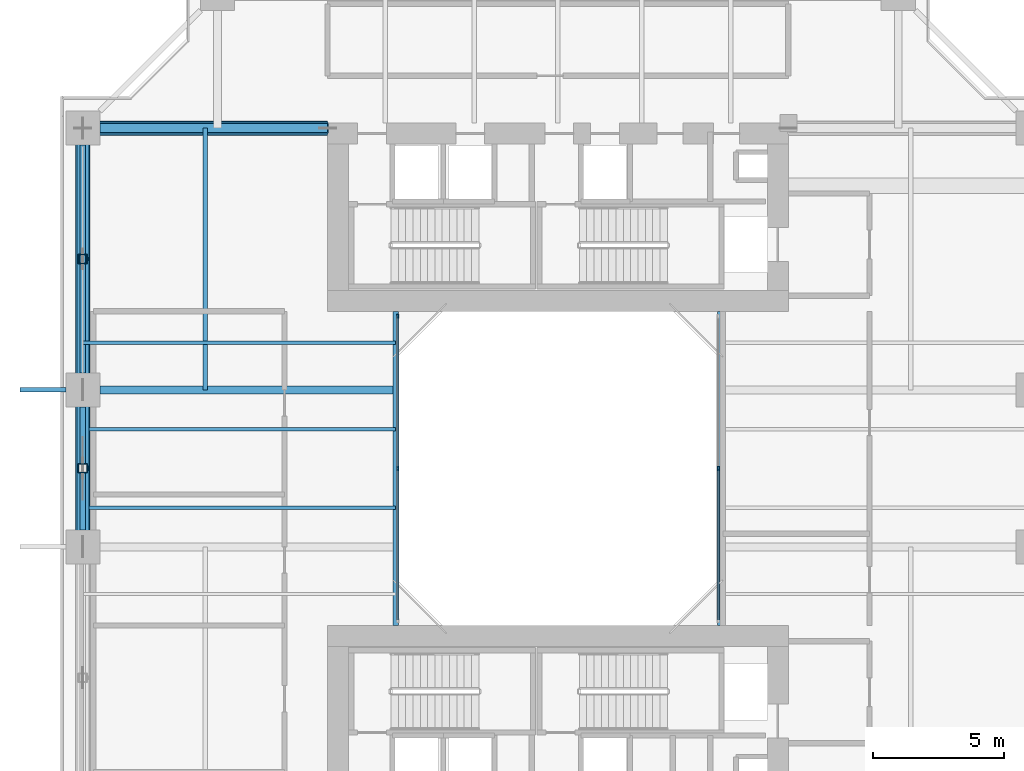
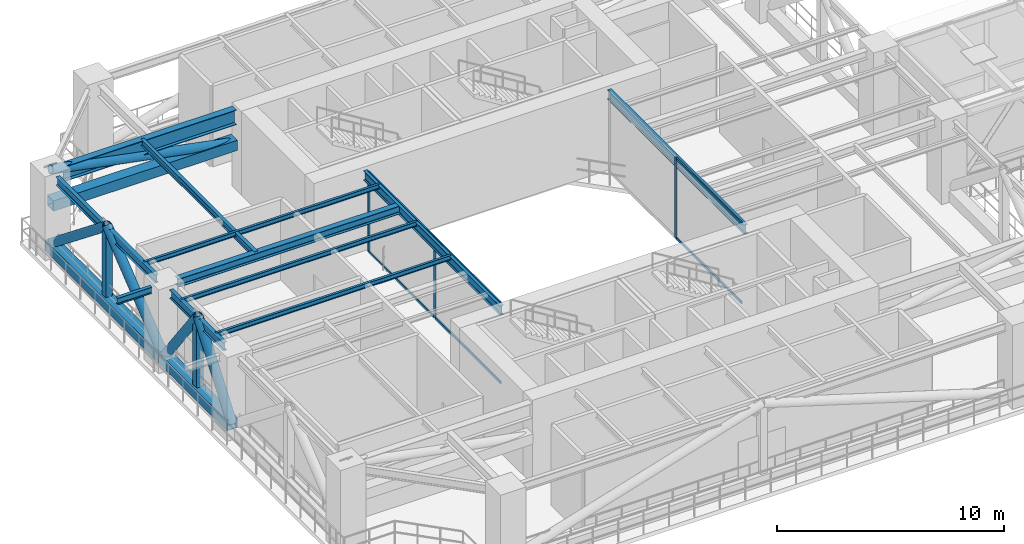
# One storey, part 4 of 26: 19 members, 11 beams, 2 elements without a shape of their own.
"""IFC4 building model written with IfcOpenShell, lengths in metres."""

from ifc_helpers import new_model, si_unit, direction, frame, origin, origin_2d, place, context, subcontext, project, spatial, rectangle, hollow_rectangle, hollow_circle, i_section, extrude, source, transform, mapped, material, layer, layer_set, material_profile, profile_set, type_object, element, aggregate, save


model = new_model("IFC4")

# Units and contexts
model_context = context("Model", 3, precision=1e-05, world=origin(), true_north=direction((0.0, 1.0)))
body_context = subcontext(model_context, "Body", "Model", "MODEL_VIEW")
ifc_project = project(units=[si_unit("LENGTHUNIT", "METRE"), si_unit("AREAUNIT", "SQUARE_METRE"), si_unit("VOLUMEUNIT", "CUBIC_METRE"), si_unit("PLANEANGLEUNIT", "RADIAN"), si_unit("MASSUNIT", "GRAM", prefix="KILO"), si_unit("THERMODYNAMICTEMPERATUREUNIT", "KELVIN"), si_unit("POWERUNIT", "WATT")], contexts=[model_context])

# Site, building, storey
site_placement = place(None, origin())
site = spatial("IfcSite", under=ifc_project, at=site_placement, CompositionType="ELEMENT")
building_placement = place(site_placement, origin())
building = spatial("IfcBuilding", under=site, at=building_placement, Name="Qiaomeng Ring Towers", CompositionType="ELEMENT")
storey_placement = place(building_placement, frame((0.0, 0.0, 45.75)))
storey = spatial("IfcBuildingStorey", under=building, at=storey_placement, Name="L12", CompositionType="ELEMENT", Elevation=45.75)

# Beams
ifc_material_1 = material(Name="Steel Q355B", Category="steel")
ifc_material_profile_1 = material_profile(ifc_material_1, i_section(OverallWidth=0.199951171875, OverallDepth=0.5, WebThickness=0.010009765625, FlangeThickness=0.01611328125, FilletRadius=0.02001953125, at=origin_2d()), Name="HN 500x200x10x16")
ifc_profile_set_1 = profile_set([ifc_material_profile_1], Name="Steel Q355B")
beam_type_1 = type_object("IfcBeamType", Name="STR-BM-HN500", PredefinedType="BEAM", material=ifc_profile_set_1)
shared_shape_1 = source(origin(), body_context, "Body", "SweptSolid", [
    extrude(i_section(OverallWidth=0.199951171875, OverallDepth=0.5, WebThickness=0.010009765625, FlangeThickness=0.01611328125, FilletRadius=0.02001953125, at=origin_2d()), origin(), (0.0, 0.0, 1.0), 12.0),
])
for number, where, z_axis, x_axis, name in (
    (1, (12.800048828125, 17.0, 4.070068359375), (0.0, 1.0, 0.0), (-1.0, 0.0, 0.0), "L12 beam STR-BM-L12-WELL-W"),
    (2, (25.199951171875, 17.0, 4.070068359375), (0.0, 1.0, 0.0), (-1.0, 0.0, 0.0), "L12 beam STR-BM-L12-WELL-E"),
):
    element("IfcBeam", number, at=place(storey_placement, frame(where, z_axis=z_axis, x_axis=x_axis)), inside=storey, type_object=beam_type_1, Name=name, PredefinedType="BEAM", context=body_context, shape_type="MappedRepresentation", body=[
        mapped(shared_shape_1, transform((0.0, 0.0, 0.0), x_axis=(1.0, 0.0, 0.0), y_axis=(0.0, 1.0, 0.0), z_axis=(0.0, 0.0, 1.0), scale=1.0)),
    ])
ifc_material_profile_2 = material_profile(ifc_material_1, i_section(OverallWidth=0.199951171875, OverallDepth=0.449951171875, WebThickness=0.009033203125, FlangeThickness=0.013916015625, FilletRadius=0.01806640625, at=origin_2d()), Name="HN 450x200x9x14")
ifc_profile_set_2 = profile_set([ifc_material_profile_2], Name="Steel Q355B")
beam_type_2 = type_object("IfcBeamType", Name="STR-BM-HN450", PredefinedType="SPANDREL", material=ifc_profile_set_2)
shared_shape_2 = source(origin(), body_context, "Body", "SweptSolid", [
    extrude(i_section(OverallWidth=0.199951171875, OverallDepth=0.449951171875, WebThickness=0.009033203125, FlangeThickness=0.013916015625, FilletRadius=0.01806640625, at=origin_2d()), origin(), (0.0, 0.0, 1.0), 8.7021484375),
])
beam_1_placement = place(storey_placement, frame((0.85009765625, 35.35107421875, 4.094970703125), z_axis=(0.0, -1.0, 0.0), x_axis=(1.0, 0.0, 0.0)))
element("IfcBeam", 3, at=beam_1_placement, inside=storey, type_object=beam_type_2, Name="L12 beam STR-SP-L12-T1-W4-W3", PredefinedType="SPANDREL", context=body_context, shape_type="MappedRepresentation", body=[
    mapped(shared_shape_2, transform((0.0, 0.0, 0.0), x_axis=(1.0, 0.0, 0.0), y_axis=(0.0, 1.0, 0.0), z_axis=(0.0, 0.0, 1.0), scale=1.0)),
])
shared_shape_3 = source(origin(), body_context, "Body", "SweptSolid", [
    extrude(i_section(OverallWidth=0.199951171875, OverallDepth=0.449951171875, WebThickness=0.009033203125, FlangeThickness=0.013916015625, FilletRadius=0.01806640625, at=origin_2d()), origin(), (0.0, 0.0, 1.0), 4.7021484375),
])
beam_2_placement = place(storey_placement, frame((0.85009765625, 25.35107421875, 4.094970703125), z_axis=(0.0, -1.0, 0.0), x_axis=(1.0, 0.0, 0.0)))
element("IfcBeam", 4, at=beam_2_placement, inside=storey, type_object=beam_type_2, Name="L12 beam STR-SP-L12-T1-W3-W2", PredefinedType="SPANDREL", context=body_context, shape_type="MappedRepresentation", body=[
    mapped(shared_shape_3, transform((0.0, 0.0, 0.0), x_axis=(1.0, 0.0, 0.0), y_axis=(0.0, 1.0, 0.0), z_axis=(0.0, 0.0, 1.0), scale=1.0)),
])
ifc_material_2 = material(Name="Steel Q390GJC", Category="steel")
ifc_material_profile_3 = material_profile(ifc_material_2, i_section(OverallWidth=0.35009765625, OverallDepth=0.800048828125, WebThickness=0.01611328125, FlangeThickness=0.028076171875, at=origin_2d()), Name="WH 800x350x16x28")
ifc_profile_set_3 = profile_set([ifc_material_profile_3], Name="Steel Q390GJC")
beam_type_3 = type_object("IfcBeamType", Name="STR-BM-WH800", PredefinedType="BEAM", material=ifc_profile_set_3)
shared_shape_4 = source(origin(), body_context, "Body", "SweptSolid", [
    extrude(i_section(OverallWidth=0.35009765625, OverallDepth=0.800048828125, WebThickness=0.01611328125, FlangeThickness=0.028076171875, at=origin_2d()), origin(), (0.0, 0.0, 1.0), 8.700927734375),
])
beam_3_placement = place(storey_placement, frame((1.4990234375, 36.0, 3.919921875), z_axis=(1.0, 0.0, 0.0), x_axis=(0.0, 1.0, 0.0)))
element("IfcBeam", 5, at=beam_3_placement, inside=storey, type_object=beam_type_3, Name="L12 beam STR-BM-L12-T1-RAD-W4", PredefinedType="BEAM", context=body_context, shape_type="MappedRepresentation", body=[
    mapped(shared_shape_4, transform((0.0, 0.0, 0.0), x_axis=(1.0, 0.0, 0.0), y_axis=(0.0, 1.0, 0.0), z_axis=(0.0, 0.0, 1.0), scale=1.0)),
])
ifc_material_profile_4 = material_profile(ifc_material_1, i_section(OverallWidth=0.300048828125, OverallDepth=0.43994140625, WebThickness=0.010986328125, FlangeThickness=0.01806640625, FilletRadius=0.02392578125, at=origin_2d()), Name="HM 440x300x11x18")
ifc_profile_set_4 = profile_set([ifc_material_profile_4], Name="Steel Q355B")
beam_type_4 = type_object("IfcBeamType", Name="STR-BM-HM440", PredefinedType="BEAM", material=ifc_profile_set_4)
shared_shape_5 = source(origin(), body_context, "Body", "SweptSolid", [
    extrude(i_section(OverallWidth=0.300048828125, OverallDepth=0.43994140625, WebThickness=0.010986328125, FlangeThickness=0.01806640625, FilletRadius=0.02392578125, at=origin_2d()), origin(), (0.0, 0.0, 1.0), 11.301025390625),
])
beam_4_placement = place(storey_placement, frame((1.4990234375, 26.0, 4.10009765625), z_axis=(1.0, 0.0, 0.0), x_axis=(0.0, 1.0, 0.0)))
element("IfcBeam", 6, at=beam_4_placement, inside=storey, type_object=beam_type_4, Name="L12 beam STR-BM-L12-T1-RAD-W3", PredefinedType="BEAM", context=body_context, shape_type="MappedRepresentation", body=[
    mapped(shared_shape_5, transform((0.0, 0.0, 0.0), x_axis=(1.0, 0.0, 0.0), y_axis=(0.0, 1.0, 0.0), z_axis=(0.0, 0.0, 1.0), scale=1.0)),
])
ifc_material_profile_5 = material_profile(ifc_material_1, i_section(OverallWidth=0.175048828125, OverallDepth=0.35009765625, WebThickness=0.007080078125, FlangeThickness=0.010986328125, FilletRadius=0.013916015625, at=origin_2d()), Name="HN 350x175x7x11")
ifc_profile_set_5 = profile_set([ifc_material_profile_5], Name="Steel Q355B")
beam_type_5 = type_object("IfcBeamType", Name="STR-BM-HN350", PredefinedType="JOIST", material=ifc_profile_set_5)
shared_shape_6 = source(origin(), body_context, "Body", "SweptSolid", [
    extrude(i_section(OverallWidth=0.175048828125, OverallDepth=0.35009765625, WebThickness=0.007080078125, FlangeThickness=0.010986328125, FilletRadius=0.013916015625, at=origin_2d()), origin(), (0.0, 0.0, 1.0), 1.7509765625),
])
beam_5_placement = place(storey_placement, frame((-1.550048828125, 26.0, 4.14501953125), z_axis=(1.0, 0.0, 0.0), x_axis=(0.0, 1.0, 0.0)))
element("IfcBeam", 7, at=beam_5_placement, inside=storey, type_object=beam_type_5, Name="L12 beam STR-BALBM-L12-W3", PredefinedType="JOIST", context=body_context, shape_type="MappedRepresentation", body=[
    mapped(shared_shape_6, transform((0.0, 0.0, 0.0), x_axis=(1.0, 0.0, 0.0), y_axis=(0.0, 1.0, 0.0), z_axis=(0.0, 0.0, 1.0), scale=1.0)),
])
ifc_material_profile_6 = material_profile(ifc_material_1, i_section(OverallWidth=0.125, OverallDepth=0.25, WebThickness=0.006103515625, FlangeThickness=0.009033203125, FilletRadius=0.011962890625, at=origin_2d()), Name="HN 250x125x6x9")
ifc_profile_set_6 = profile_set([ifc_material_profile_6], Name="Steel Q355B")
beam_type_6 = type_object("IfcBeamType", Name="STR-BM-HN250", PredefinedType="JOIST", material=ifc_profile_set_6)
shared_shape_7 = source(origin(), body_context, "Body", "SweptSolid", [
    extrude(i_section(OverallWidth=0.125, OverallDepth=0.25, WebThickness=0.006103515625, FlangeThickness=0.009033203125, FilletRadius=0.011962890625, at=origin_2d()), origin(), (0.0, 0.0, 1.0), 11.949951171875),
])
for number, where, z_axis, x_axis, name in (
    (8, (0.85009765625, 21.5, 4.195068359375), (1.0, 0.0, 0.0), (0.0, 1.0, 0.0), "L12 beam STR-JST-L12-T1W-2"),
    (9, (0.85009765625, 24.5, 4.195068359375), (1.0, 0.0, 0.0), (0.0, 1.0, 0.0), "L12 beam STR-JST-L12-T1W-3"),
    (10, (0.85009765625, 27.800048828125, 4.195068359375), (1.0, 0.0, 0.0), (0.0, 1.0, 0.0), "L12 beam STR-JST-L12-T1W-4"),
):
    element("IfcBeam", number, at=place(storey_placement, frame(where, z_axis=z_axis, x_axis=x_axis)), inside=storey, type_object=beam_type_6, Name=name, PredefinedType="JOIST", context=body_context, shape_type="MappedRepresentation", body=[
        mapped(shared_shape_7, transform((0.0, 0.0, 0.0), x_axis=(1.0, 0.0, 0.0), y_axis=(0.0, 1.0, 0.0), z_axis=(0.0, 0.0, 1.0), scale=1.0)),
    ])
shared_shape_8 = source(origin(), body_context, "Body", "SweptSolid", [
    extrude(i_section(OverallWidth=0.175048828125, OverallDepth=0.35009765625, WebThickness=0.007080078125, FlangeThickness=0.010986328125, FilletRadius=0.013916015625, at=origin_2d()), origin(), (0.0, 0.0, 1.0), 10.0),
])
beam_6_placement = place(storey_placement, frame((5.52490234375, 26.0, 4.14501953125), z_axis=(0.0, 1.0, 0.0), x_axis=(-1.0, 0.0, 0.0)))
element("IfcBeam", 11, at=beam_6_placement, inside=storey, type_object=beam_type_5, Name="L12 beam STR-JST-L12-T1C-WN", PredefinedType="JOIST", context=body_context, shape_type="MappedRepresentation", body=[
    mapped(shared_shape_8, transform((0.0, 0.0, 0.0), x_axis=(1.0, 0.0, 0.0), y_axis=(0.0, 1.0, 0.0), z_axis=(0.0, 0.0, 1.0), scale=1.0)),
])

# Members
ifc_material_profile_7 = material_profile(ifc_material_2, hollow_rectangle(XDim=0.35009765625, YDim=0.35009765625, WallThickness=0.02001953125, at=origin_2d()), Name="SHS 350x350x20")
ifc_profile_set_7 = profile_set([ifc_material_profile_7], Name="Steel Q390GJC")
member_type_1 = type_object("IfcMemberType", Name="STR-MB-POST-350", PredefinedType="POST", material=ifc_profile_set_7)
shared_shape_9 = source(origin(), body_context, "Body", "SweptSolid", [
    extrude(hollow_rectangle(XDim=0.35009765625, YDim=0.35009765625, WallThickness=0.02001953125, at=origin_2d()), origin(), (0.0, 0.0, 1.0), 4.0),
])
for number, where, z_axis, x_axis, name in (
    (12, (0.85009765625, 31.0, 0.320068359375), (0.0, 0.0, 1.0), (1.0, 0.0, 0.0), "L12 Belt Truss Post W4-W3"),
    (13, (0.85009765625, 23.0, 0.320068359375), (0.0, 0.0, 1.0), (1.0, 0.0, 0.0), "L12 Belt Truss Post W3-W2"),
):
    element("IfcMember", number, at=place(storey_placement, frame(where, z_axis=z_axis, x_axis=x_axis)), inside=storey, type_object=member_type_1, Name=name, PredefinedType="POST", context=body_context, shape_type="MappedRepresentation", body=[
        mapped(shared_shape_9, transform((0.0, 0.0, 0.0), x_axis=(1.0, 0.0, 0.0), y_axis=(0.0, 1.0, 0.0), z_axis=(0.0, 0.0, 1.0), scale=1.0)),
    ])
ifc_material_profile_8 = material_profile(ifc_material_2, hollow_rectangle(XDim=0.550048828125, YDim=0.550048828125, WallThickness=0.031982421875, at=origin_2d()), Name="SHS 550x550x32")
ifc_profile_set_8 = profile_set([ifc_material_profile_8], Name="Steel Q390GJC")
member_type_2 = type_object("IfcMemberType", Name="STR-MB-CHORD-550", PredefinedType="CHORD", material=ifc_profile_set_8)
shared_shape_10 = source(origin(), body_context, "Body", "SweptSolid", [
    extrude(hollow_rectangle(XDim=0.550048828125, YDim=0.550048828125, WallThickness=0.031982421875, at=origin_2d()), origin(), (0.0, 0.0, 1.0), 10.0),
])
member_1_placement = place(storey_placement, frame((0.85009765625, 36.0, 0.320068359375), z_axis=(0.0, -1.0, 0.0), x_axis=(1.0, 0.0, 0.0)))
element("IfcMember", 14, at=member_1_placement, inside=storey, type_object=member_type_2, Name="L12 Belt Truss Bottom Chord W4-W3", PredefinedType="CHORD", context=body_context, shape_type="MappedRepresentation", body=[
    mapped(shared_shape_10, transform((0.0, 0.0, 0.0), x_axis=(1.0, 0.0, 0.0), y_axis=(0.0, 1.0, 0.0), z_axis=(0.0, 0.0, 1.0), scale=1.0)),
])
ifc_material_profile_9 = material_profile(ifc_material_2, hollow_circle(Radius=0.228515625, WallThickness=0.028076171875, at=origin_2d()), Name="CHS 457x28")
ifc_profile_set_9 = profile_set([ifc_material_profile_9], Name="Steel Q390GJC")
member_type_3 = type_object("IfcMemberType", Name="STR-MB-BR-457", PredefinedType="BRACE", material=ifc_profile_set_9)
shared_shape_11 = source(origin(), body_context, "Body", "SweptSolid", [
    extrude(hollow_circle(Radius=0.228515625, WallThickness=0.028076171875, at=origin_2d()), origin(), (0.0, 0.0, 1.0), 6.390625),
])
for number, where, z_axis, x_axis, name in (
    (15, (0.85009765625, 36.0, 0.320068359375), (0.0, -0.782394587595, 0.622783035497), (1.0, 0.0, 0.0), "L12 Belt Truss Diagonal W4-M"),
    (16, (0.85009765625, 26.0, 0.320068359375), (0.0, 0.782394587595, 0.622783035497), (-1.0, 0.0, 0.0), "L12 Belt Truss Diagonal W3-M"),
):
    element("IfcMember", number, at=place(storey_placement, frame(where, z_axis=z_axis, x_axis=x_axis)), inside=storey, type_object=member_type_3, Name=name, PredefinedType="BRACE", context=body_context, shape_type="MappedRepresentation", body=[
        mapped(shared_shape_11, transform((0.0, 0.0, 0.0), x_axis=(1.0, 0.0, 0.0), y_axis=(0.0, 1.0, 0.0), z_axis=(0.0, 0.0, 1.0), scale=1.0)),
    ])
shared_shape_12 = source(origin(), body_context, "Body", "SweptSolid", [
    extrude(hollow_rectangle(XDim=0.550048828125, YDim=0.550048828125, WallThickness=0.031982421875, at=origin_2d()), origin(), (0.0, 0.0, 1.0), 6.0),
])
member_2_placement = place(storey_placement, frame((0.85009765625, 26.0, 0.320068359375), z_axis=(0.0, -1.0, 0.0), x_axis=(1.0, 0.0, 0.0)))
element("IfcMember", 17, at=member_2_placement, inside=storey, type_object=member_type_2, Name="L12 Belt Truss Bottom Chord W3-W2", PredefinedType="CHORD", context=body_context, shape_type="MappedRepresentation", body=[
    mapped(shared_shape_12, transform((0.0, 0.0, 0.0), x_axis=(1.0, 0.0, 0.0), y_axis=(0.0, 1.0, 0.0), z_axis=(0.0, 0.0, 1.0), scale=1.0)),
])
shared_shape_13 = source(origin(), body_context, "Body", "SweptSolid", [
    extrude(hollow_circle(Radius=0.228515625, WallThickness=0.028076171875, at=origin_2d()), origin(), (0.0, 0.0, 1.0), 4.98388671875),
])
for number, where, z_axis, x_axis, name in (
    (18, (0.85009765625, 26.0, 0.320068359375), (0.0, -0.601926302674, 0.798551642757), (1.0, 0.0, 0.0), "L12 Belt Truss Diagonal W3-M"),
    (19, (0.85009765625, 20.0, 0.320068359375), (0.0, 0.601926302674, 0.798551642757), (-1.0, 0.0, 0.0), "L12 Belt Truss Diagonal W2-M"),
):
    element("IfcMember", number, at=place(storey_placement, frame(where, z_axis=z_axis, x_axis=x_axis)), inside=storey, type_object=member_type_3, Name=name, PredefinedType="BRACE", context=body_context, shape_type="MappedRepresentation", body=[
        mapped(shared_shape_13, transform((0.0, 0.0, 0.0), x_axis=(1.0, 0.0, 0.0), y_axis=(0.0, 1.0, 0.0), z_axis=(0.0, 0.0, 1.0), scale=1.0)),
    ])
shared_shape_14 = source(origin(), body_context, "Body", "SweptSolid", [
    extrude(hollow_rectangle(XDim=0.550048828125, YDim=0.550048828125, WallThickness=0.031982421875, at=origin_2d()), origin(), (0.0, 0.0, 1.0), 9.349853515625),
])
member_3_placement = place(storey_placement, frame((10.199951171875, 36.0, 2.47998046875), z_axis=(-1.0, 0.0, 0.0), x_axis=(0.0, -1.0, 0.0)))
element("IfcMember", 20, at=member_3_placement, inside=storey, type_object=member_type_2, Name="L12 Core Outrigger Truss Bottom Chord W4", PredefinedType="CHORD", context=body_context, shape_type="MappedRepresentation", body=[
    mapped(shared_shape_14, transform((0.0, 0.0, 0.0), x_axis=(1.0, 0.0, 0.0), y_axis=(0.0, 1.0, 0.0), z_axis=(0.0, 0.0, 1.0), scale=1.0)),
])
shared_shape_15 = source(origin(), body_context, "Body", "SweptSolid", [
    extrude(hollow_circle(Radius=0.228515625, WallThickness=0.028076171875, at=origin_2d()), origin(), (0.0, 0.0, 1.0), 9.525390625),
])
member_4_placement = place(storey_placement, frame((10.199951171875, 36.0, 2.47998046875), z_axis=(-0.981575216514, 0.0, 0.191076147978), x_axis=(0.0, -1.0, 0.0)))
element("IfcMember", 21, at=member_4_placement, inside=storey, type_object=member_type_3, Name="L12 Core Outrigger Truss Diagonal W4", PredefinedType="BRACE", context=body_context, shape_type="MappedRepresentation", body=[
    mapped(shared_shape_15, transform((0.0, 0.0, 0.0), x_axis=(1.0, 0.0, 0.0), y_axis=(0.0, 1.0, 0.0), z_axis=(0.0, 0.0, 1.0), scale=1.0)),
])

# Curtain wall, members
ifc_material_3 = material(Name="Fluorocarbon dark-grey aluminium", Category="aluminium")
ifc_layer = layer(ifc_material_3, 0.139892578125, Name="Fluorocarbon dark-grey aluminium")
ifc_layer_set = layer_set([ifc_layer], Name="Fluorocarbon dark-grey aluminium")
curtain_wall_type = type_object("IfcCurtainWallType", Name="ARC-CW-4", PredefinedType="NOTDEFINED", material=ifc_layer_set)
curtain_wall_1_placement = place(storey_placement, origin())
curtain_wall_1 = element("IfcCurtainWall", 22, at=curtain_wall_1_placement, inside=storey, type_object=curtain_wall_type, Name="L12 Curtain Wall CW4", PredefinedType="NOTDEFINED")
ifc_material_profile_10 = material_profile(ifc_material_3, rectangle(XDim=0.06494140625, YDim=0.1298828125, at=origin_2d()), Name="ALU TRAN 65x130")
ifc_profile_set_10 = profile_set([ifc_material_profile_10], Name="Fluorocarbon dark-grey aluminium")
member_type_4 = type_object("IfcMemberType", Name="ARC-CWT-120", PredefinedType="USERDEFINED", material=ifc_profile_set_10)
shared_shape_16 = source(origin(), body_context, "Body", "SweptSolid", [
    extrude(rectangle(XDim=0.06494140625, YDim=0.1298828125, at=origin_2d()), origin(), (0.0, 0.0, 1.0), 5.75244140625),
])
member_5_placement = place(storey_placement, frame((12.8798828125, 17.215087890625, 0.032470703125), z_axis=(0.0, 1.0, 0.0), x_axis=(-1.0, 0.0, 0.0)))
member_5 = element("IfcMember", 23, at=member_5_placement, type_object=member_type_4, Name="CW4 transom 1.1", ObjectType="TRANSOM", PredefinedType="USERDEFINED", context=body_context, shape_type="MappedRepresentation", body=[
    mapped(shared_shape_16, transform((0.0, 0.0, 0.0), x_axis=(1.0, 0.0, 0.0), y_axis=(0.0, 1.0, 0.0), z_axis=(0.0, 0.0, 1.0), scale=1.0)),
])
member_6_placement = place(storey_placement, frame((12.8798828125, 17.215087890625, 4.28759765625), z_axis=(0.0, 1.0, 0.0), x_axis=(-1.0, 0.0, 0.0)))
member_6 = element("IfcMember", 24, at=member_6_placement, type_object=member_type_4, Name="CW4 transom 1.2", ObjectType="TRANSOM", PredefinedType="USERDEFINED", context=body_context, shape_type="MappedRepresentation", body=[
    mapped(shared_shape_16, transform((0.0, 0.0, 0.0), x_axis=(1.0, 0.0, 0.0), y_axis=(0.0, 1.0, 0.0), z_axis=(0.0, 0.0, 1.0), scale=1.0)),
])
member_7_placement = place(storey_placement, frame((12.8798828125, 23.032470703125, 0.032470703125), z_axis=(0.0, 1.0, 0.0), x_axis=(-1.0, 0.0, 0.0)))
member_7 = element("IfcMember", 25, at=member_7_placement, type_object=member_type_4, Name="CW4 transom 2.1", ObjectType="TRANSOM", PredefinedType="USERDEFINED", context=body_context, shape_type="MappedRepresentation", body=[
    mapped(shared_shape_16, transform((0.0, 0.0, 0.0), x_axis=(1.0, 0.0, 0.0), y_axis=(0.0, 1.0, 0.0), z_axis=(0.0, 0.0, 1.0), scale=1.0)),
])
member_8_placement = place(storey_placement, frame((12.8798828125, 23.032470703125, 4.28759765625), z_axis=(0.0, 1.0, 0.0), x_axis=(-1.0, 0.0, 0.0)))
member_8 = element("IfcMember", 26, at=member_8_placement, type_object=member_type_4, Name="CW4 transom 2.2", ObjectType="TRANSOM", PredefinedType="USERDEFINED", context=body_context, shape_type="MappedRepresentation", body=[
    mapped(shared_shape_16, transform((0.0, 0.0, 0.0), x_axis=(1.0, 0.0, 0.0), y_axis=(0.0, 1.0, 0.0), z_axis=(0.0, 0.0, 1.0), scale=1.0)),
])

curtain_wall_2_placement = place(storey_placement, origin())
curtain_wall_2 = element("IfcCurtainWall", 27, at=curtain_wall_2_placement, inside=storey, type_object=curtain_wall_type, Name="L12 Curtain Wall CW4", PredefinedType="NOTDEFINED")
member_9_placement = place(storey_placement, frame((25.1201171875, 17.215087890625, 0.032470703125), z_axis=(0.0, 1.0, 0.0), x_axis=(-1.0, 0.0, 0.0)))
member_9 = element("IfcMember", 28, at=member_9_placement, type_object=member_type_4, Name="CW4 transom 1.1", ObjectType="TRANSOM", PredefinedType="USERDEFINED", context=body_context, shape_type="MappedRepresentation", body=[
    mapped(shared_shape_16, transform((0.0, 0.0, 0.0), x_axis=(1.0, 0.0, 0.0), y_axis=(0.0, 1.0, 0.0), z_axis=(0.0, 0.0, 1.0), scale=1.0)),
])
member_10_placement = place(storey_placement, frame((25.1201171875, 17.215087890625, 4.28759765625), z_axis=(0.0, 1.0, 0.0), x_axis=(-1.0, 0.0, 0.0)))
member_10 = element("IfcMember", 29, at=member_10_placement, type_object=member_type_4, Name="CW4 transom 1.2", ObjectType="TRANSOM", PredefinedType="USERDEFINED", context=body_context, shape_type="MappedRepresentation", body=[
    mapped(shared_shape_16, transform((0.0, 0.0, 0.0), x_axis=(1.0, 0.0, 0.0), y_axis=(0.0, 1.0, 0.0), z_axis=(0.0, 0.0, 1.0), scale=1.0)),
])

# Member
ifc_material_profile_11 = material_profile(ifc_material_3, rectangle(XDim=0.06494140625, YDim=0.159912109375, at=origin_2d()), Name="ALU MULL 65x160")
ifc_profile_set_11 = profile_set([ifc_material_profile_11], Name="Fluorocarbon dark-grey aluminium")
member_type_5 = type_object("IfcMemberType", Name="ARC-CWM-140", PredefinedType="MULLION", material=ifc_profile_set_11)
shared_shape_17 = source(origin(), body_context, "Body", "SweptSolid", [
    extrude(rectangle(XDim=0.06494140625, YDim=0.159912109375, at=origin_2d()), origin(), (0.0, 0.0, 1.0), 4.320068359375),
])
member_11_placement = place(storey_placement, frame((12.8798828125, 23.0, 0.0), z_axis=(0.0, 0.0, 1.0), x_axis=(-1.0, 0.0, 0.0)))
member_11 = element("IfcMember", 30, at=member_11_placement, type_object=member_type_5, Name="CW4 mullion 2", PredefinedType="MULLION", context=body_context, shape_type="MappedRepresentation", body=[
    mapped(shared_shape_17, transform((0.0, 0.0, 0.0), x_axis=(1.0, 0.0, 0.0), y_axis=(0.0, 1.0, 0.0), z_axis=(0.0, 0.0, 1.0), scale=1.0)),
])

member_12_placement = place(storey_placement, frame((12.8798828125, 28.8173828125, 0.0), z_axis=(0.0, 0.0, 1.0), x_axis=(-1.0, 0.0, 0.0)))
member_12 = element("IfcMember", 31, at=member_12_placement, type_object=member_type_5, Name="CW4 mullion 3", PredefinedType="MULLION", context=body_context, shape_type="MappedRepresentation", body=[
    mapped(shared_shape_17, transform((0.0, 0.0, 0.0), x_axis=(1.0, 0.0, 0.0), y_axis=(0.0, 1.0, 0.0), z_axis=(0.0, 0.0, 1.0), scale=1.0)),
])

aggregate(curtain_wall_1, [member_11, member_12, member_5, member_6, member_7, member_8])

member_13_placement = place(storey_placement, frame((25.1201171875, 23.0, 0.0), z_axis=(0.0, 0.0, 1.0), x_axis=(-1.0, 0.0, 0.0)))
member_13 = element("IfcMember", 32, at=member_13_placement, type_object=member_type_5, Name="CW4 mullion 2", PredefinedType="MULLION", context=body_context, shape_type="MappedRepresentation", body=[
    mapped(shared_shape_17, transform((0.0, 0.0, 0.0), x_axis=(1.0, 0.0, 0.0), y_axis=(0.0, 1.0, 0.0), z_axis=(0.0, 0.0, 1.0), scale=1.0)),
])

aggregate(curtain_wall_2, [member_13, member_9, member_10])

save(model, "model.ifc")
